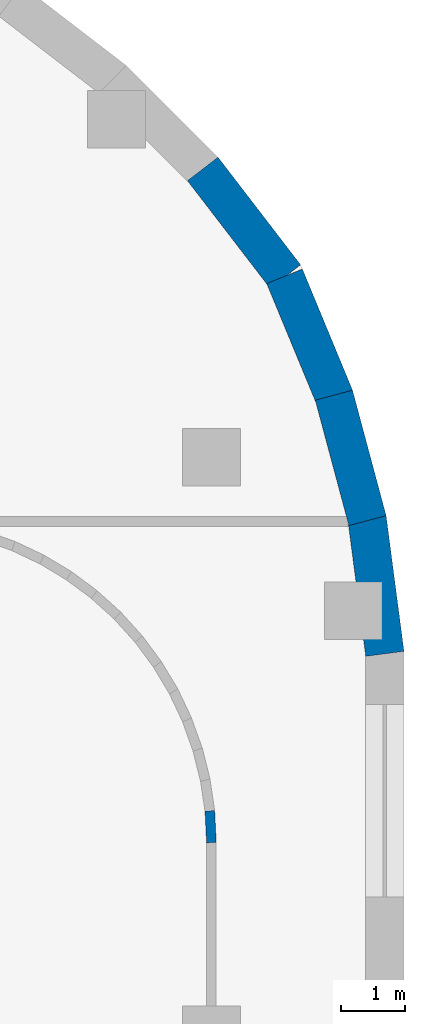
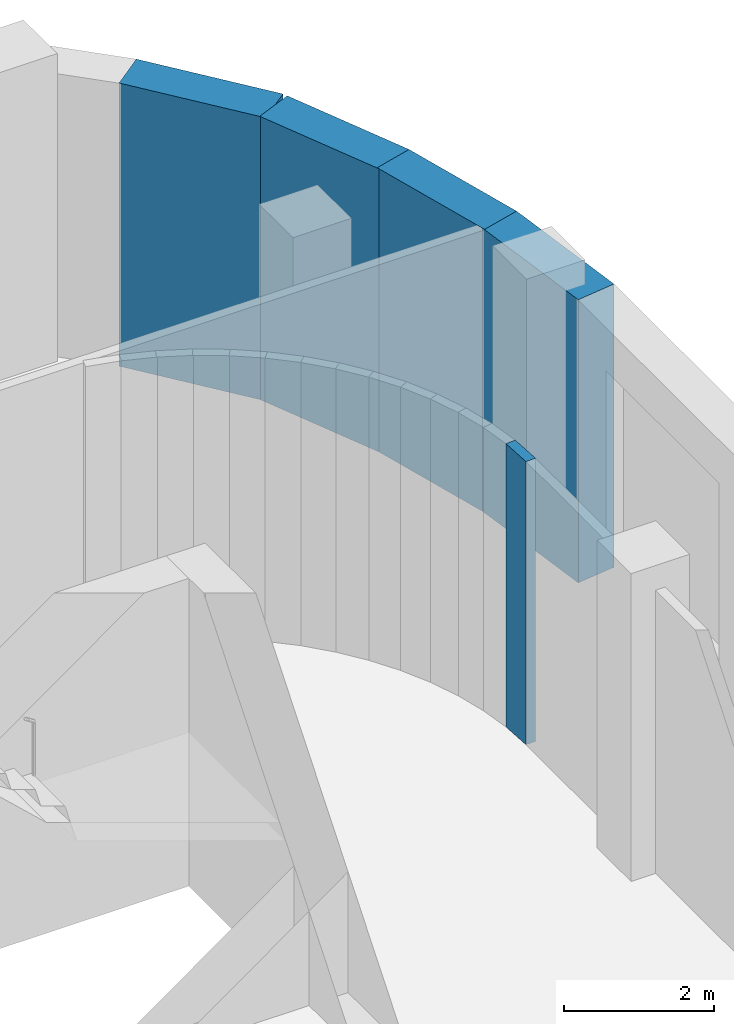
# One storey, part 21 of 24: 5 walls.
"""IFC4 building model written with IfcOpenShell, lengths in metres."""

from ifc_helpers import new_model, si_unit, direction, frame, frame_2d, origin, place, context, subcontext, project, spatial, rectangle, extrude, material, layer, layer_set, type_object, element, save


model = new_model("IFC4")

# Units and contexts
model_context = context("Model", 3, precision=1e-05, world=origin(), true_north=direction((0.0, 1.0)))
body_context = subcontext(model_context, "Body", "Model", "MODEL_VIEW")
ifc_project = project(units=[si_unit("LENGTHUNIT", "METRE"), si_unit("AREAUNIT", "SQUARE_METRE"), si_unit("VOLUMEUNIT", "CUBIC_METRE"), si_unit("PLANEANGLEUNIT", "RADIAN"), si_unit("MASSUNIT", "GRAM", prefix="KILO")], contexts=[model_context])

# Site, building, storey
site_placement = place(None, origin())
site = spatial("IfcSite", under=ifc_project, at=site_placement, CompositionType="ELEMENT")
building_placement = place(site_placement, origin())
building = spatial("IfcBuilding", under=site, at=building_placement, Name="Skarvind Civic Tower", CompositionType="ELEMENT")
storey_placement = place(building_placement, frame((0.0, 0.0, 12.5)))
storey = spatial("IfcBuildingStorey", under=building, at=storey_placement, Name="L02", CompositionType="ELEMENT", Elevation=12.5)

# Walls
ifc_material_1 = material(Name="Plasterboard partition on steel studs", Category="steel")
ifc_layer_1 = layer(ifc_material_1, 0.14990234375)
ifc_layer_set_1 = layer_set([ifc_layer_1], Name="PARTITION 150")
wall_type_1 = type_object("IfcWallType", Name="PARTITION 150", PredefinedType="PARTITIONING", material=ifc_layer_set_1)
wall_1_placement = place(storey_placement, frame((171.97607421875, 139.493896484375, 0.0), z_axis=(0.0, 0.0, 1.0), x_axis=(0.048196018647, -0.998837896651, 0.0)))
element("IfcWall", 1, at=wall_1_placement, inside=storey, type_object=wall_type_1, Name="Podium partition L02 308", PredefinedType="PARTITIONING", context=body_context, shape_type="SweptSolid", body=[
    extrude(rectangle(XDim=0.496337890625, YDim=0.14990234375, at=frame_2d((0.248046875, 0.0))), origin(), (0.0, 0.0, 1.0), 4.60009765625),
])
ifc_material_2 = material(Name="Limestone masonry cladding on insulated backing", Category="masonry")
ifc_layer_2 = layer(ifc_material_2, 0.60009765625)
ifc_layer_set_2 = layer_set([ifc_layer_2], Name="WX1 STONE FACADE WALL 600")
wall_type_2 = type_object("IfcWallType", Name="WX1 STONE FACADE WALL 600", PredefinedType="SOLIDWALL", material=ifc_layer_set_2)
wall_2_placement = place(storey_placement, frame((174.42431640625, 144.052490234375, 0.0), z_axis=(0.0, 0.0, 1.0), x_axis=(0.130558200013, -0.991440646942, 0.0)))
element("IfcWall", 2, at=wall_2_placement, inside=storey, type_object=wall_type_2, Name="STONE FACADE WALL", PredefinedType="SOLIDWALL", context=body_context, shape_type="SweptSolid", body=[
    extrude(rectangle(XDim=2.1318359375, YDim=0.60009765625, at=frame_2d((1.06591796875, 0.0))), origin(), (0.0, 0.0, 1.0), 4.60009765625),
])
wall_3_placement = place(storey_placement, frame((173.908447265625, 145.967529296875, 0.0), z_axis=(0.0, 0.0, 1.0), x_axis=(0.258804467146, -0.965929732323, 0.0)))
element("IfcWall", 3, at=wall_3_placement, inside=storey, type_object=wall_type_2, Name="STONE FACADE WALL", PredefinedType="SOLIDWALL", context=body_context, shape_type="SweptSolid", body=[
    extrude(rectangle(XDim=2.0224609375, YDim=0.60009765625, at=frame_2d((1.01123046875, 0.0))), origin(), (0.0, 0.0, 1.0), 4.60009765625),
])
wall_4_placement = place(storey_placement, frame((173.1396484375, 147.8193359375, 0.0), z_axis=(0.0, 0.0, 1.0), x_axis=(0.382341242798, -0.924021197839, 0.0)))
element("IfcWall", 4, at=wall_4_placement, inside=storey, type_object=wall_type_2, Name="STONE FACADE WALL", PredefinedType="SOLIDWALL", context=body_context, shape_type="SweptSolid", body=[
    extrude(rectangle(XDim=2.0439453125, YDim=0.60009765625, at=frame_2d((1.02197265625, 0.0))), origin(), (0.0, 0.0, 1.0), 4.60009765625),
])
wall_5_placement = place(storey_placement, frame((171.864501953125, 149.49267578125, 0.0), z_axis=(0.0, 0.0, 1.0), x_axis=(0.609052002567, -0.79313029079, 0.0)))
element("IfcWall", 5, at=wall_5_placement, inside=storey, type_object=wall_type_2, Name="STONE FACADE WALL", PredefinedType="SOLIDWALL", context=body_context, shape_type="SweptSolid", body=[
    extrude(rectangle(XDim=2.114013671875, YDim=0.60009765625, at=frame_2d((1.05712890625, 0.0))), origin(), (0.0, 0.0, 1.0), 4.60009765625),
])

save(model, "model.ifc")
